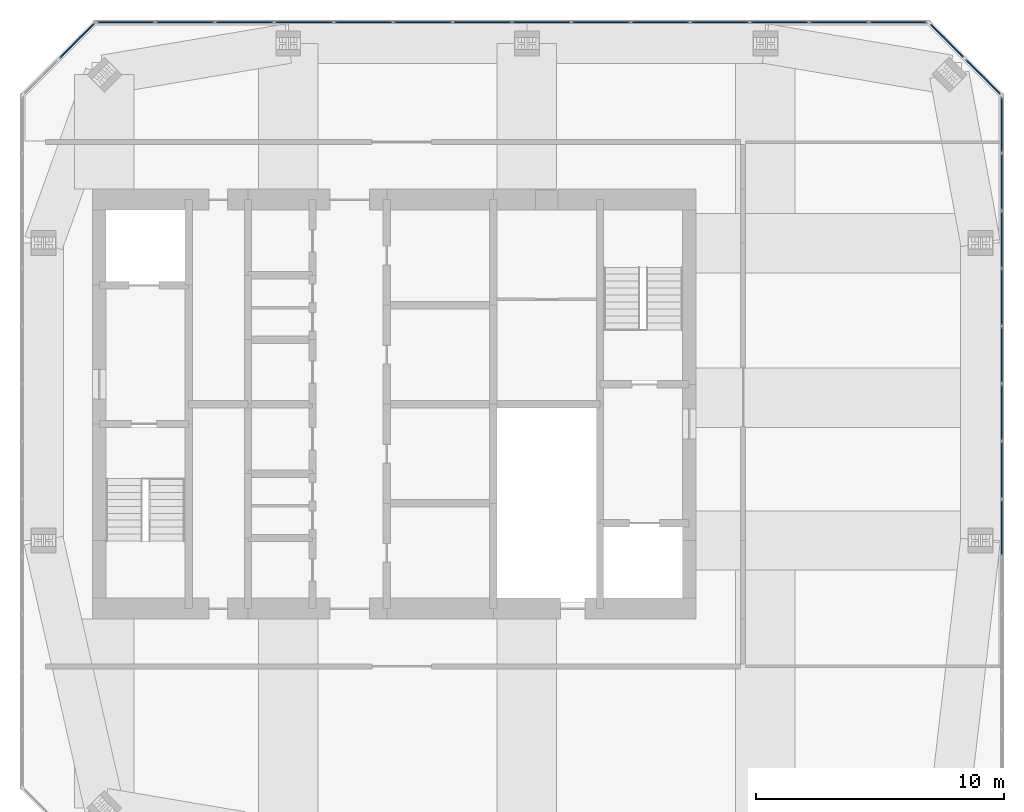
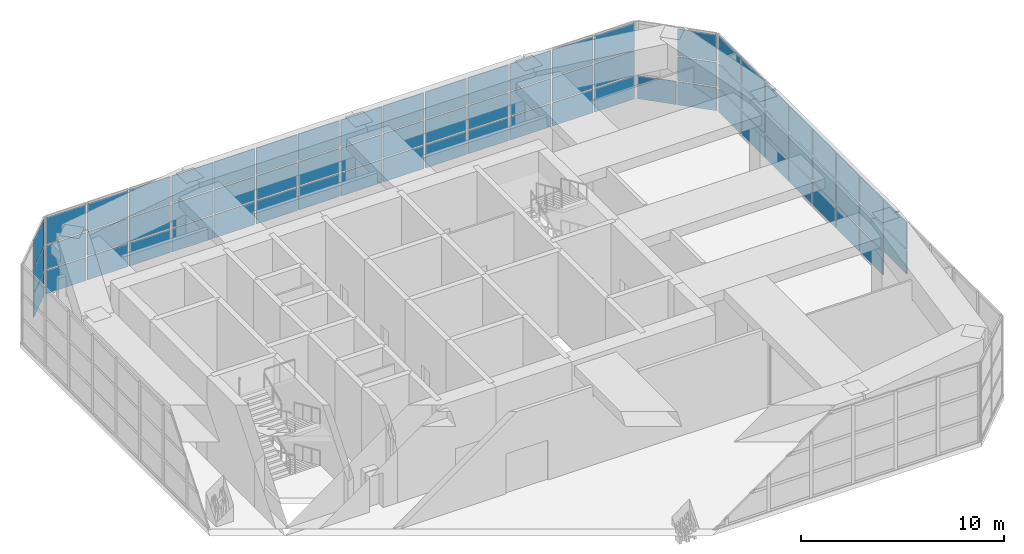
# One storey, part 10 of 14: 72 plates, 4 elements without a shape of their own.
"""IFC4 building model written with IfcOpenShell, lengths in metres."""

from ifc_helpers import new_model, si_unit, direction, frame, origin, origin_2d, place, context, subcontext, project, spatial, rectangle, extrude, material, layer, layer_set, type_object, element, aggregate, save


model = new_model("IFC4")

# Units and contexts
model_context = context("Model", 3, precision=1e-05, world=origin(), true_north=direction((0.0, 1.0)))
body_context = subcontext(model_context, "Body", "Model", "MODEL_VIEW")
ifc_project = project(units=[si_unit("LENGTHUNIT", "METRE"), si_unit("AREAUNIT", "SQUARE_METRE"), si_unit("VOLUMEUNIT", "CUBIC_METRE"), si_unit("PLANEANGLEUNIT", "RADIAN"), si_unit("MASSUNIT", "GRAM", prefix="KILO")], contexts=[model_context])

# Site, building, storey
site_placement = place(None, origin())
site = spatial("IfcSite", under=ifc_project, at=site_placement, CompositionType="ELEMENT")
building_placement = place(site_placement, origin())
building = spatial("IfcBuilding", under=site, at=building_placement, Name="Jalousie Tower", CompositionType="ELEMENT")
storey_placement = place(building_placement, frame((0.0, 0.0, 272.75)))
storey = spatial("IfcBuildingStorey", under=building, at=storey_placement, Name="L74", CompositionType="ELEMENT", Elevation=272.75)

# Curtain wall, plates
ifc_material_1 = material(Name="Aluminium curtain wall", Category="aluminium")
curtain_wall_type = type_object("IfcCurtainWallType", Name="CROWN LOUVRE WALL", PredefinedType="USERDEFINED", material=ifc_material_1)
curtain_wall_1_placement = place(storey_placement, origin())
curtain_wall_1 = element("IfcCurtainWall", 1, at=curtain_wall_1_placement, inside=storey, type_object=curtain_wall_type, Name="Crown Louvre Wall L74 3", ObjectType="CROWN LOUVRE WALL", PredefinedType="USERDEFINED")
ifc_material_2 = material(Name="Aluminium storm louvre panel", Category="aluminium")
ifc_layer = layer(ifc_material_2, 0.050048828125)
ifc_layer_set = layer_set([ifc_layer], Name="Aluminium storm louvre panel")
plate_type = type_object("IfcPlateType", Name="CROWN LOUVRE WALL PANEL", PredefinedType="CURTAIN_PANEL", material=ifc_layer_set)
plate_1_placement = place(storey_placement, frame((56.41259765625, 13.512939453125, 1.5400390625), z_axis=(0.0, 0.0, 1.0), x_axis=(0.0, 1.0, 0.0)))
plate_1 = element("IfcPlate", 2, at=plate_1_placement, type_object=plate_type, Name="CW-L panel 5.2", PredefinedType="CURTAIN_PANEL", context=body_context, shape_type="SweptSolid", body=[
    extrude(rectangle(XDim=2.244873046875, YDim=0.050048828125, at=origin_2d()), origin(), (0.0, 0.0, 1.0), 1.419921875),
])
plate_2_placement = place(storey_placement, frame((56.41259765625, 13.512939453125, 3.0400390625), z_axis=(0.0, 0.0, 1.0), x_axis=(0.0, 1.0, 0.0)))
plate_2 = element("IfcPlate", 3, at=plate_2_placement, type_object=plate_type, Name="CW-L panel 5.3", PredefinedType="CURTAIN_PANEL", context=body_context, shape_type="SweptSolid", body=[
    extrude(rectangle(XDim=2.244873046875, YDim=0.050048828125, at=origin_2d()), origin(), (0.0, 0.0, 1.0), 1.60009765625),
])
plate_3_placement = place(storey_placement, frame((56.41259765625, 15.837646484375, 0.080078125), z_axis=(0.0, 0.0, 1.0), x_axis=(0.0, 1.0, 0.0)))
plate_3 = element("IfcPlate", 4, at=plate_3_placement, type_object=plate_type, Name="CW-L panel 6.1", PredefinedType="CURTAIN_PANEL", context=body_context, shape_type="SweptSolid", body=[
    extrude(rectangle(XDim=2.244873046875, YDim=0.050048828125, at=origin_2d()), origin(), (0.0, 0.0, 1.0), 1.3798828125),
])
plate_4_placement = place(storey_placement, frame((56.41259765625, 15.837646484375, 1.5400390625), z_axis=(0.0, 0.0, 1.0), x_axis=(0.0, 1.0, 0.0)))
plate_4 = element("IfcPlate", 5, at=plate_4_placement, type_object=plate_type, Name="CW-L panel 6.2", PredefinedType="CURTAIN_PANEL", context=body_context, shape_type="SweptSolid", body=[
    extrude(rectangle(XDim=2.244873046875, YDim=0.050048828125, at=origin_2d()), origin(), (0.0, 0.0, 1.0), 1.419921875),
])
plate_5_placement = place(storey_placement, frame((56.41259765625, 15.837646484375, 3.0400390625), z_axis=(0.0, 0.0, 1.0), x_axis=(0.0, 1.0, 0.0)))
plate_5 = element("IfcPlate", 6, at=plate_5_placement, type_object=plate_type, Name="CW-L panel 6.3", PredefinedType="CURTAIN_PANEL", context=body_context, shape_type="SweptSolid", body=[
    extrude(rectangle(XDim=2.244873046875, YDim=0.050048828125, at=origin_2d()), origin(), (0.0, 0.0, 1.0), 1.60009765625),
])
plate_6_placement = place(storey_placement, frame((56.41259765625, 18.162353515625, 0.080078125), z_axis=(0.0, 0.0, 1.0), x_axis=(0.0, 1.0, 0.0)))
plate_6 = element("IfcPlate", 7, at=plate_6_placement, type_object=plate_type, Name="CW-L panel 7.1", PredefinedType="CURTAIN_PANEL", context=body_context, shape_type="SweptSolid", body=[
    extrude(rectangle(XDim=2.244873046875, YDim=0.050048828125, at=origin_2d()), origin(), (0.0, 0.0, 1.0), 1.3798828125),
])
plate_7_placement = place(storey_placement, frame((56.41259765625, 18.162353515625, 1.5400390625), z_axis=(0.0, 0.0, 1.0), x_axis=(0.0, 1.0, 0.0)))
plate_7 = element("IfcPlate", 8, at=plate_7_placement, type_object=plate_type, Name="CW-L panel 7.2", PredefinedType="CURTAIN_PANEL", context=body_context, shape_type="SweptSolid", body=[
    extrude(rectangle(XDim=2.244873046875, YDim=0.050048828125, at=origin_2d()), origin(), (0.0, 0.0, 1.0), 1.419921875),
])
plate_8_placement = place(storey_placement, frame((56.41259765625, 18.162353515625, 3.0400390625), z_axis=(0.0, 0.0, 1.0), x_axis=(0.0, 1.0, 0.0)))
plate_8 = element("IfcPlate", 9, at=plate_8_placement, type_object=plate_type, Name="CW-L panel 7.3", PredefinedType="CURTAIN_PANEL", context=body_context, shape_type="SweptSolid", body=[
    extrude(rectangle(XDim=2.244873046875, YDim=0.050048828125, at=origin_2d()), origin(), (0.0, 0.0, 1.0), 1.60009765625),
])
plate_9_placement = place(storey_placement, frame((56.41259765625, 20.487060546875, 0.080078125), z_axis=(0.0, 0.0, 1.0), x_axis=(0.0, 1.0, 0.0)))
plate_9 = element("IfcPlate", 10, at=plate_9_placement, type_object=plate_type, Name="CW-L panel 8.1", PredefinedType="CURTAIN_PANEL", context=body_context, shape_type="SweptSolid", body=[
    extrude(rectangle(XDim=2.244873046875, YDim=0.050048828125, at=origin_2d()), origin(), (0.0, 0.0, 1.0), 1.3798828125),
])
plate_10_placement = place(storey_placement, frame((56.41259765625, 20.487060546875, 1.5400390625), z_axis=(0.0, 0.0, 1.0), x_axis=(0.0, 1.0, 0.0)))
plate_10 = element("IfcPlate", 11, at=plate_10_placement, type_object=plate_type, Name="CW-L panel 8.2", PredefinedType="CURTAIN_PANEL", context=body_context, shape_type="SweptSolid", body=[
    extrude(rectangle(XDim=2.244873046875, YDim=0.050048828125, at=origin_2d()), origin(), (0.0, 0.0, 1.0), 1.419921875),
])
plate_11_placement = place(storey_placement, frame((56.41259765625, 20.487060546875, 3.0400390625), z_axis=(0.0, 0.0, 1.0), x_axis=(0.0, 1.0, 0.0)))
plate_11 = element("IfcPlate", 12, at=plate_11_placement, type_object=plate_type, Name="CW-L panel 8.3", PredefinedType="CURTAIN_PANEL", context=body_context, shape_type="SweptSolid", body=[
    extrude(rectangle(XDim=2.244873046875, YDim=0.050048828125, at=origin_2d()), origin(), (0.0, 0.0, 1.0), 1.60009765625),
])
plate_12_placement = place(storey_placement, frame((56.41259765625, 22.81201171875, 0.080078125), z_axis=(0.0, 0.0, 1.0), x_axis=(0.0, 1.0, 0.0)))
plate_12 = element("IfcPlate", 13, at=plate_12_placement, type_object=plate_type, Name="CW-L panel 9.1", PredefinedType="CURTAIN_PANEL", context=body_context, shape_type="SweptSolid", body=[
    extrude(rectangle(XDim=2.244873046875, YDim=0.050048828125, at=origin_2d()), origin(), (0.0, 0.0, 1.0), 1.3798828125),
])
plate_13_placement = place(storey_placement, frame((56.41259765625, 22.81201171875, 1.5400390625), z_axis=(0.0, 0.0, 1.0), x_axis=(0.0, 1.0, 0.0)))
plate_13 = element("IfcPlate", 14, at=plate_13_placement, type_object=plate_type, Name="CW-L panel 9.2", PredefinedType="CURTAIN_PANEL", context=body_context, shape_type="SweptSolid", body=[
    extrude(rectangle(XDim=2.244873046875, YDim=0.050048828125, at=origin_2d()), origin(), (0.0, 0.0, 1.0), 1.419921875),
])
plate_14_placement = place(storey_placement, frame((56.41259765625, 22.81201171875, 3.0400390625), z_axis=(0.0, 0.0, 1.0), x_axis=(0.0, 1.0, 0.0)))
plate_14 = element("IfcPlate", 15, at=plate_14_placement, type_object=plate_type, Name="CW-L panel 9.3", PredefinedType="CURTAIN_PANEL", context=body_context, shape_type="SweptSolid", body=[
    extrude(rectangle(XDim=2.244873046875, YDim=0.050048828125, at=origin_2d()), origin(), (0.0, 0.0, 1.0), 1.60009765625),
])
plate_15_placement = place(storey_placement, frame((56.41259765625, 25.13671875, 0.080078125), z_axis=(0.0, 0.0, 1.0), x_axis=(0.0, 1.0, 0.0)))
plate_15 = element("IfcPlate", 16, at=plate_15_placement, type_object=plate_type, Name="CW-L panel 10.1", PredefinedType="CURTAIN_PANEL", context=body_context, shape_type="SweptSolid", body=[
    extrude(rectangle(XDim=2.244873046875, YDim=0.050048828125, at=origin_2d()), origin(), (0.0, 0.0, 1.0), 1.3798828125),
])
plate_16_placement = place(storey_placement, frame((56.41259765625, 25.13671875, 1.5400390625), z_axis=(0.0, 0.0, 1.0), x_axis=(0.0, 1.0, 0.0)))
plate_16 = element("IfcPlate", 17, at=plate_16_placement, type_object=plate_type, Name="CW-L panel 10.2", PredefinedType="CURTAIN_PANEL", context=body_context, shape_type="SweptSolid", body=[
    extrude(rectangle(XDim=2.244873046875, YDim=0.050048828125, at=origin_2d()), origin(), (0.0, 0.0, 1.0), 1.419921875),
])
plate_17_placement = place(storey_placement, frame((56.41259765625, 25.13671875, 3.0400390625), z_axis=(0.0, 0.0, 1.0), x_axis=(0.0, 1.0, 0.0)))
plate_17 = element("IfcPlate", 18, at=plate_17_placement, type_object=plate_type, Name="CW-L panel 10.3", PredefinedType="CURTAIN_PANEL", context=body_context, shape_type="SweptSolid", body=[
    extrude(rectangle(XDim=2.244873046875, YDim=0.050048828125, at=origin_2d()), origin(), (0.0, 0.0, 1.0), 1.60009765625),
])
plate_18_placement = place(storey_placement, frame((56.41259765625, 27.46142578125, 0.080078125), z_axis=(0.0, 0.0, 1.0), x_axis=(0.0, 1.0, 0.0)))
plate_18 = element("IfcPlate", 19, at=plate_18_placement, type_object=plate_type, Name="CW-L panel 11.1", PredefinedType="CURTAIN_PANEL", context=body_context, shape_type="SweptSolid", body=[
    extrude(rectangle(XDim=2.244873046875, YDim=0.050048828125, at=origin_2d()), origin(), (0.0, 0.0, 1.0), 1.3798828125),
])
plate_19_placement = place(storey_placement, frame((56.41259765625, 27.46142578125, 1.5400390625), z_axis=(0.0, 0.0, 1.0), x_axis=(0.0, 1.0, 0.0)))
plate_19 = element("IfcPlate", 20, at=plate_19_placement, type_object=plate_type, Name="CW-L panel 11.2", PredefinedType="CURTAIN_PANEL", context=body_context, shape_type="SweptSolid", body=[
    extrude(rectangle(XDim=2.244873046875, YDim=0.050048828125, at=origin_2d()), origin(), (0.0, 0.0, 1.0), 1.419921875),
])
plate_20_placement = place(storey_placement, frame((56.41259765625, 27.46142578125, 3.0400390625), z_axis=(0.0, 0.0, 1.0), x_axis=(0.0, 1.0, 0.0)))
plate_20 = element("IfcPlate", 21, at=plate_20_placement, type_object=plate_type, Name="CW-L panel 11.3", PredefinedType="CURTAIN_PANEL", context=body_context, shape_type="SweptSolid", body=[
    extrude(rectangle(XDim=2.244873046875, YDim=0.050048828125, at=origin_2d()), origin(), (0.0, 0.0, 1.0), 1.60009765625),
])
plate_21_placement = place(storey_placement, frame((56.41259765625, 29.766357421875, 0.080078125), z_axis=(0.0, 0.0, 1.0), x_axis=(0.0, 1.0, 0.0)))
plate_21 = element("IfcPlate", 22, at=plate_21_placement, type_object=plate_type, Name="CW-L panel 12.1", PredefinedType="CURTAIN_PANEL", context=body_context, shape_type="SweptSolid", body=[
    extrude(rectangle(XDim=2.204833984375, YDim=0.050048828125, at=origin_2d()), origin(), (0.0, 0.0, 1.0), 1.3798828125),
])
plate_22_placement = place(storey_placement, frame((56.41259765625, 29.766357421875, 1.5400390625), z_axis=(0.0, 0.0, 1.0), x_axis=(0.0, 1.0, 0.0)))
plate_22 = element("IfcPlate", 23, at=plate_22_placement, type_object=plate_type, Name="CW-L panel 12.2", PredefinedType="CURTAIN_PANEL", context=body_context, shape_type="SweptSolid", body=[
    extrude(rectangle(XDim=2.204833984375, YDim=0.050048828125, at=origin_2d()), origin(), (0.0, 0.0, 1.0), 1.419921875),
])
plate_23_placement = place(storey_placement, frame((56.41259765625, 29.766357421875, 3.0400390625), z_axis=(0.0, 0.0, 1.0), x_axis=(0.0, 1.0, 0.0)))
plate_23 = element("IfcPlate", 24, at=plate_23_placement, type_object=plate_type, Name="CW-L panel 12.3", PredefinedType="CURTAIN_PANEL", context=body_context, shape_type="SweptSolid", body=[
    extrude(rectangle(XDim=2.204833984375, YDim=0.050048828125, at=origin_2d()), origin(), (0.0, 0.0, 1.0), 1.60009765625),
])
aggregate(curtain_wall_1, [plate_1, plate_2, plate_3, plate_4, plate_5, plate_6, plate_7, plate_8, plate_9, plate_10, plate_11, plate_12, plate_13, plate_14, plate_15, plate_16, plate_17, plate_18, plate_19, plate_20, plate_21, plate_22, plate_23])

curtain_wall_2_placement = place(storey_placement, origin())
curtain_wall_2 = element("IfcCurtainWall", 25, at=curtain_wall_2_placement, inside=storey, type_object=curtain_wall_type, Name="Crown Louvre Wall L74 4", ObjectType="CROWN LOUVRE WALL", PredefinedType="USERDEFINED")
plate_24_placement = place(storey_placement, frame((55.657470703125, 31.703857421875, 0.080078125), z_axis=(0.0, 0.0, 1.0), x_axis=(-0.707106781187, 0.707106781187, 0.0)))
plate_24 = element("IfcPlate", 26, at=plate_24_placement, type_object=plate_type, Name="CW-L panel 1.1", PredefinedType="CURTAIN_PANEL", context=body_context, shape_type="SweptSolid", body=[
    extrude(rectangle(XDim=1.975830078125, YDim=0.050048828125, at=origin_2d()), origin(), (0.0, 0.0, 1.0), 1.3798828125),
])
plate_25_placement = place(storey_placement, frame((55.657470703125, 31.703857421875, 1.5400390625), z_axis=(0.0, 0.0, 1.0), x_axis=(-0.707106781187, 0.707106781187, 0.0)))
plate_25 = element("IfcPlate", 27, at=plate_25_placement, type_object=plate_type, Name="CW-L panel 1.2", PredefinedType="CURTAIN_PANEL", context=body_context, shape_type="SweptSolid", body=[
    extrude(rectangle(XDim=1.975830078125, YDim=0.050048828125, at=origin_2d()), origin(), (0.0, 0.0, 1.0), 1.419921875),
])
plate_26_placement = place(storey_placement, frame((55.657470703125, 31.703857421875, 3.0400390625), z_axis=(0.0, 0.0, 1.0), x_axis=(-0.707106781187, 0.707106781187, 0.0)))
plate_26 = element("IfcPlate", 28, at=plate_26_placement, type_object=plate_type, Name="CW-L panel 1.3", PredefinedType="CURTAIN_PANEL", context=body_context, shape_type="SweptSolid", body=[
    extrude(rectangle(XDim=1.975830078125, YDim=0.050048828125, at=origin_2d()), origin(), (0.0, 0.0, 1.0), 1.60009765625),
])
plate_27_placement = place(storey_placement, frame((54.203857421875, 33.157470703125, 0.080078125), z_axis=(0.0, 0.0, 1.0), x_axis=(-0.707106781187, 0.707106781187, 0.0)))
plate_27 = element("IfcPlate", 29, at=plate_27_placement, type_object=plate_type, Name="CW-L panel 2.1", PredefinedType="CURTAIN_PANEL", context=body_context, shape_type="SweptSolid", body=[
    extrude(rectangle(XDim=1.975830078125, YDim=0.050048828125, at=origin_2d()), origin(), (0.0, 0.0, 1.0), 1.3798828125),
])
aggregate(curtain_wall_2, [plate_24, plate_25, plate_26, plate_27])

curtain_wall_3_placement = place(storey_placement, origin())
curtain_wall_3 = element("IfcCurtainWall", 30, at=curtain_wall_3_placement, inside=storey, type_object=curtain_wall_type, Name="Crown Louvre Wall L74 5", ObjectType="CROWN LOUVRE WALL", PredefinedType="USERDEFINED")
plate_28_placement = place(storey_placement, frame((52.228759765625, 33.91259765625, 0.080078125), z_axis=(0.0, 0.0, 1.0), x_axis=(-1.0, 0.0, 0.0)))
plate_28 = element("IfcPlate", 31, at=plate_28_placement, type_object=plate_type, Name="CW-L panel 1.1", PredefinedType="CURTAIN_PANEL", context=body_context, shape_type="SweptSolid", body=[
    extrude(rectangle(XDim=2.27978515625, YDim=0.050048828125, at=origin_2d()), origin(), (0.0, 0.0, 1.0), 1.3798828125),
])
plate_29_placement = place(storey_placement, frame((52.228759765625, 33.91259765625, 1.5400390625), z_axis=(0.0, 0.0, 1.0), x_axis=(-1.0, 0.0, 0.0)))
plate_29 = element("IfcPlate", 32, at=plate_29_placement, type_object=plate_type, Name="CW-L panel 1.2", PredefinedType="CURTAIN_PANEL", context=body_context, shape_type="SweptSolid", body=[
    extrude(rectangle(XDim=2.27978515625, YDim=0.050048828125, at=origin_2d()), origin(), (0.0, 0.0, 1.0), 1.419921875),
])
plate_30_placement = place(storey_placement, frame((52.228759765625, 33.91259765625, 3.0400390625), z_axis=(0.0, 0.0, 1.0), x_axis=(-1.0, 0.0, 0.0)))
plate_30 = element("IfcPlate", 33, at=plate_30_placement, type_object=plate_type, Name="CW-L panel 1.3", PredefinedType="CURTAIN_PANEL", context=body_context, shape_type="SweptSolid", body=[
    extrude(rectangle(XDim=2.27978515625, YDim=0.050048828125, at=origin_2d()), origin(), (0.0, 0.0, 1.0), 1.60009765625),
])
plate_31_placement = place(storey_placement, frame((49.848876953125, 33.91259765625, 0.080078125), z_axis=(0.0, 0.0, 1.0), x_axis=(-1.0, 0.0, 0.0)))
plate_31 = element("IfcPlate", 34, at=plate_31_placement, type_object=plate_type, Name="CW-L panel 2.1", PredefinedType="CURTAIN_PANEL", context=body_context, shape_type="SweptSolid", body=[
    extrude(rectangle(XDim=2.31982421875, YDim=0.050048828125, at=origin_2d()), origin(), (0.0, 0.0, 1.0), 1.3798828125),
])
plate_32_placement = place(storey_placement, frame((49.848876953125, 33.91259765625, 1.5400390625), z_axis=(0.0, 0.0, 1.0), x_axis=(-1.0, 0.0, 0.0)))
plate_32 = element("IfcPlate", 35, at=plate_32_placement, type_object=plate_type, Name="CW-L panel 2.2", PredefinedType="CURTAIN_PANEL", context=body_context, shape_type="SweptSolid", body=[
    extrude(rectangle(XDim=2.31982421875, YDim=0.050048828125, at=origin_2d()), origin(), (0.0, 0.0, 1.0), 1.419921875),
])
plate_33_placement = place(storey_placement, frame((49.848876953125, 33.91259765625, 3.0400390625), z_axis=(0.0, 0.0, 1.0), x_axis=(-1.0, 0.0, 0.0)))
plate_33 = element("IfcPlate", 36, at=plate_33_placement, type_object=plate_type, Name="CW-L panel 2.3", PredefinedType="CURTAIN_PANEL", context=body_context, shape_type="SweptSolid", body=[
    extrude(rectangle(XDim=2.31982421875, YDim=0.050048828125, at=origin_2d()), origin(), (0.0, 0.0, 1.0), 1.60009765625),
])
plate_34_placement = place(storey_placement, frame((47.44921875, 33.91259765625, 0.080078125), z_axis=(0.0, 0.0, 1.0), x_axis=(-1.0, 0.0, 0.0)))
plate_34 = element("IfcPlate", 37, at=plate_34_placement, type_object=plate_type, Name="CW-L panel 3.1", PredefinedType="CURTAIN_PANEL", context=body_context, shape_type="SweptSolid", body=[
    extrude(rectangle(XDim=2.31982421875, YDim=0.050048828125, at=origin_2d()), origin(), (0.0, 0.0, 1.0), 1.3798828125),
])
plate_35_placement = place(storey_placement, frame((47.44921875, 33.91259765625, 1.5400390625), z_axis=(0.0, 0.0, 1.0), x_axis=(-1.0, 0.0, 0.0)))
plate_35 = element("IfcPlate", 38, at=plate_35_placement, type_object=plate_type, Name="CW-L panel 3.2", PredefinedType="CURTAIN_PANEL", context=body_context, shape_type="SweptSolid", body=[
    extrude(rectangle(XDim=2.31982421875, YDim=0.050048828125, at=origin_2d()), origin(), (0.0, 0.0, 1.0), 1.419921875),
])
plate_36_placement = place(storey_placement, frame((47.44921875, 33.91259765625, 3.0400390625), z_axis=(0.0, 0.0, 1.0), x_axis=(-1.0, 0.0, 0.0)))
plate_36 = element("IfcPlate", 39, at=plate_36_placement, type_object=plate_type, Name="CW-L panel 3.3", PredefinedType="CURTAIN_PANEL", context=body_context, shape_type="SweptSolid", body=[
    extrude(rectangle(XDim=2.31982421875, YDim=0.050048828125, at=origin_2d()), origin(), (0.0, 0.0, 1.0), 1.60009765625),
])
plate_37_placement = place(storey_placement, frame((45.04931640625, 33.91259765625, 0.080078125), z_axis=(0.0, 0.0, 1.0), x_axis=(-1.0, 0.0, 0.0)))
plate_37 = element("IfcPlate", 40, at=plate_37_placement, type_object=plate_type, Name="CW-L panel 4.1", PredefinedType="CURTAIN_PANEL", context=body_context, shape_type="SweptSolid", body=[
    extrude(rectangle(XDim=2.31982421875, YDim=0.050048828125, at=origin_2d()), origin(), (0.0, 0.0, 1.0), 1.3798828125),
])
plate_38_placement = place(storey_placement, frame((45.04931640625, 33.91259765625, 1.5400390625), z_axis=(0.0, 0.0, 1.0), x_axis=(-1.0, 0.0, 0.0)))
plate_38 = element("IfcPlate", 41, at=plate_38_placement, type_object=plate_type, Name="CW-L panel 4.2", PredefinedType="CURTAIN_PANEL", context=body_context, shape_type="SweptSolid", body=[
    extrude(rectangle(XDim=2.31982421875, YDim=0.050048828125, at=origin_2d()), origin(), (0.0, 0.0, 1.0), 1.419921875),
])
plate_39_placement = place(storey_placement, frame((45.04931640625, 33.91259765625, 3.0400390625), z_axis=(0.0, 0.0, 1.0), x_axis=(-1.0, 0.0, 0.0)))
plate_39 = element("IfcPlate", 42, at=plate_39_placement, type_object=plate_type, Name="CW-L panel 4.3", PredefinedType="CURTAIN_PANEL", context=body_context, shape_type="SweptSolid", body=[
    extrude(rectangle(XDim=2.31982421875, YDim=0.050048828125, at=origin_2d()), origin(), (0.0, 0.0, 1.0), 1.60009765625),
])
plate_40_placement = place(storey_placement, frame((42.6494140625, 33.91259765625, 0.080078125), z_axis=(0.0, 0.0, 1.0), x_axis=(-1.0, 0.0, 0.0)))
plate_40 = element("IfcPlate", 43, at=plate_40_placement, type_object=plate_type, Name="CW-L panel 5.1", PredefinedType="CURTAIN_PANEL", context=body_context, shape_type="SweptSolid", body=[
    extrude(rectangle(XDim=2.31982421875, YDim=0.050048828125, at=origin_2d()), origin(), (0.0, 0.0, 1.0), 1.3798828125),
])
plate_41_placement = place(storey_placement, frame((42.6494140625, 33.91259765625, 1.5400390625), z_axis=(0.0, 0.0, 1.0), x_axis=(-1.0, 0.0, 0.0)))
plate_41 = element("IfcPlate", 44, at=plate_41_placement, type_object=plate_type, Name="CW-L panel 5.2", PredefinedType="CURTAIN_PANEL", context=body_context, shape_type="SweptSolid", body=[
    extrude(rectangle(XDim=2.31982421875, YDim=0.050048828125, at=origin_2d()), origin(), (0.0, 0.0, 1.0), 1.419921875),
])
plate_42_placement = place(storey_placement, frame((42.6494140625, 33.91259765625, 3.0400390625), z_axis=(0.0, 0.0, 1.0), x_axis=(-1.0, 0.0, 0.0)))
plate_42 = element("IfcPlate", 45, at=plate_42_placement, type_object=plate_type, Name="CW-L panel 5.3", PredefinedType="CURTAIN_PANEL", context=body_context, shape_type="SweptSolid", body=[
    extrude(rectangle(XDim=2.31982421875, YDim=0.050048828125, at=origin_2d()), origin(), (0.0, 0.0, 1.0), 1.60009765625),
])
plate_43_placement = place(storey_placement, frame((40.249755859375, 33.91259765625, 0.080078125), z_axis=(0.0, 0.0, 1.0), x_axis=(-1.0, 0.0, 0.0)))
plate_43 = element("IfcPlate", 46, at=plate_43_placement, type_object=plate_type, Name="CW-L panel 6.1", PredefinedType="CURTAIN_PANEL", context=body_context, shape_type="SweptSolid", body=[
    extrude(rectangle(XDim=2.31982421875, YDim=0.050048828125, at=origin_2d()), origin(), (0.0, 0.0, 1.0), 1.3798828125),
])
plate_44_placement = place(storey_placement, frame((40.249755859375, 33.91259765625, 1.5400390625), z_axis=(0.0, 0.0, 1.0), x_axis=(-1.0, 0.0, 0.0)))
plate_44 = element("IfcPlate", 47, at=plate_44_placement, type_object=plate_type, Name="CW-L panel 6.2", PredefinedType="CURTAIN_PANEL", context=body_context, shape_type="SweptSolid", body=[
    extrude(rectangle(XDim=2.31982421875, YDim=0.050048828125, at=origin_2d()), origin(), (0.0, 0.0, 1.0), 1.419921875),
])
plate_45_placement = place(storey_placement, frame((40.249755859375, 33.91259765625, 3.0400390625), z_axis=(0.0, 0.0, 1.0), x_axis=(-1.0, 0.0, 0.0)))
plate_45 = element("IfcPlate", 48, at=plate_45_placement, type_object=plate_type, Name="CW-L panel 6.3", PredefinedType="CURTAIN_PANEL", context=body_context, shape_type="SweptSolid", body=[
    extrude(rectangle(XDim=2.31982421875, YDim=0.050048828125, at=origin_2d()), origin(), (0.0, 0.0, 1.0), 1.60009765625),
])
plate_46_placement = place(storey_placement, frame((37.849853515625, 33.91259765625, 0.080078125), z_axis=(0.0, 0.0, 1.0), x_axis=(-1.0, 0.0, 0.0)))
plate_46 = element("IfcPlate", 49, at=plate_46_placement, type_object=plate_type, Name="CW-L panel 7.1", PredefinedType="CURTAIN_PANEL", context=body_context, shape_type="SweptSolid", body=[
    extrude(rectangle(XDim=2.31982421875, YDim=0.050048828125, at=origin_2d()), origin(), (0.0, 0.0, 1.0), 1.3798828125),
])
plate_47_placement = place(storey_placement, frame((37.849853515625, 33.91259765625, 1.5400390625), z_axis=(0.0, 0.0, 1.0), x_axis=(-1.0, 0.0, 0.0)))
plate_47 = element("IfcPlate", 50, at=plate_47_placement, type_object=plate_type, Name="CW-L panel 7.2", PredefinedType="CURTAIN_PANEL", context=body_context, shape_type="SweptSolid", body=[
    extrude(rectangle(XDim=2.31982421875, YDim=0.050048828125, at=origin_2d()), origin(), (0.0, 0.0, 1.0), 1.419921875),
])
plate_48_placement = place(storey_placement, frame((37.849853515625, 33.91259765625, 3.0400390625), z_axis=(0.0, 0.0, 1.0), x_axis=(-1.0, 0.0, 0.0)))
plate_48 = element("IfcPlate", 51, at=plate_48_placement, type_object=plate_type, Name="CW-L panel 7.3", PredefinedType="CURTAIN_PANEL", context=body_context, shape_type="SweptSolid", body=[
    extrude(rectangle(XDim=2.31982421875, YDim=0.050048828125, at=origin_2d()), origin(), (0.0, 0.0, 1.0), 1.60009765625),
])
plate_49_placement = place(storey_placement, frame((35.4501953125, 33.91259765625, 0.080078125), z_axis=(0.0, 0.0, 1.0), x_axis=(-1.0, 0.0, 0.0)))
plate_49 = element("IfcPlate", 52, at=plate_49_placement, type_object=plate_type, Name="CW-L panel 8.1", PredefinedType="CURTAIN_PANEL", context=body_context, shape_type="SweptSolid", body=[
    extrude(rectangle(XDim=2.31982421875, YDim=0.050048828125, at=origin_2d()), origin(), (0.0, 0.0, 1.0), 1.3798828125),
])
plate_50_placement = place(storey_placement, frame((35.4501953125, 33.91259765625, 1.5400390625), z_axis=(0.0, 0.0, 1.0), x_axis=(-1.0, 0.0, 0.0)))
plate_50 = element("IfcPlate", 53, at=plate_50_placement, type_object=plate_type, Name="CW-L panel 8.2", PredefinedType="CURTAIN_PANEL", context=body_context, shape_type="SweptSolid", body=[
    extrude(rectangle(XDim=2.31982421875, YDim=0.050048828125, at=origin_2d()), origin(), (0.0, 0.0, 1.0), 1.419921875),
])
plate_51_placement = place(storey_placement, frame((35.4501953125, 33.91259765625, 3.0400390625), z_axis=(0.0, 0.0, 1.0), x_axis=(-1.0, 0.0, 0.0)))
plate_51 = element("IfcPlate", 54, at=plate_51_placement, type_object=plate_type, Name="CW-L panel 8.3", PredefinedType="CURTAIN_PANEL", context=body_context, shape_type="SweptSolid", body=[
    extrude(rectangle(XDim=2.31982421875, YDim=0.050048828125, at=origin_2d()), origin(), (0.0, 0.0, 1.0), 1.60009765625),
])
plate_52_placement = place(storey_placement, frame((33.05029296875, 33.91259765625, 0.080078125), z_axis=(0.0, 0.0, 1.0), x_axis=(-1.0, 0.0, 0.0)))
plate_52 = element("IfcPlate", 55, at=plate_52_placement, type_object=plate_type, Name="CW-L panel 9.1", PredefinedType="CURTAIN_PANEL", context=body_context, shape_type="SweptSolid", body=[
    extrude(rectangle(XDim=2.31982421875, YDim=0.050048828125, at=origin_2d()), origin(), (0.0, 0.0, 1.0), 1.3798828125),
])
plate_53_placement = place(storey_placement, frame((33.05029296875, 33.91259765625, 1.5400390625), z_axis=(0.0, 0.0, 1.0), x_axis=(-1.0, 0.0, 0.0)))
plate_53 = element("IfcPlate", 56, at=plate_53_placement, type_object=plate_type, Name="CW-L panel 9.2", PredefinedType="CURTAIN_PANEL", context=body_context, shape_type="SweptSolid", body=[
    extrude(rectangle(XDim=2.31982421875, YDim=0.050048828125, at=origin_2d()), origin(), (0.0, 0.0, 1.0), 1.419921875),
])
plate_54_placement = place(storey_placement, frame((33.05029296875, 33.91259765625, 3.0400390625), z_axis=(0.0, 0.0, 1.0), x_axis=(-1.0, 0.0, 0.0)))
plate_54 = element("IfcPlate", 57, at=plate_54_placement, type_object=plate_type, Name="CW-L panel 9.3", PredefinedType="CURTAIN_PANEL", context=body_context, shape_type="SweptSolid", body=[
    extrude(rectangle(XDim=2.31982421875, YDim=0.050048828125, at=origin_2d()), origin(), (0.0, 0.0, 1.0), 1.60009765625),
])
plate_55_placement = place(storey_placement, frame((30.650390625, 33.91259765625, 0.080078125), z_axis=(0.0, 0.0, 1.0), x_axis=(-1.0, 0.0, 0.0)))
plate_55 = element("IfcPlate", 58, at=plate_55_placement, type_object=plate_type, Name="CW-L panel 10.1", PredefinedType="CURTAIN_PANEL", context=body_context, shape_type="SweptSolid", body=[
    extrude(rectangle(XDim=2.31982421875, YDim=0.050048828125, at=origin_2d()), origin(), (0.0, 0.0, 1.0), 1.3798828125),
])
plate_56_placement = place(storey_placement, frame((30.650390625, 33.91259765625, 1.5400390625), z_axis=(0.0, 0.0, 1.0), x_axis=(-1.0, 0.0, 0.0)))
plate_56 = element("IfcPlate", 59, at=plate_56_placement, type_object=plate_type, Name="CW-L panel 10.2", PredefinedType="CURTAIN_PANEL", context=body_context, shape_type="SweptSolid", body=[
    extrude(rectangle(XDim=2.31982421875, YDim=0.050048828125, at=origin_2d()), origin(), (0.0, 0.0, 1.0), 1.419921875),
])
plate_57_placement = place(storey_placement, frame((30.650390625, 33.91259765625, 3.0400390625), z_axis=(0.0, 0.0, 1.0), x_axis=(-1.0, 0.0, 0.0)))
plate_57 = element("IfcPlate", 60, at=plate_57_placement, type_object=plate_type, Name="CW-L panel 10.3", PredefinedType="CURTAIN_PANEL", context=body_context, shape_type="SweptSolid", body=[
    extrude(rectangle(XDim=2.31982421875, YDim=0.050048828125, at=origin_2d()), origin(), (0.0, 0.0, 1.0), 1.60009765625),
])
plate_58_placement = place(storey_placement, frame((28.250732421875, 33.91259765625, 0.080078125), z_axis=(0.0, 0.0, 1.0), x_axis=(-1.0, 0.0, 0.0)))
plate_58 = element("IfcPlate", 61, at=plate_58_placement, type_object=plate_type, Name="CW-L panel 11.1", PredefinedType="CURTAIN_PANEL", context=body_context, shape_type="SweptSolid", body=[
    extrude(rectangle(XDim=2.31982421875, YDim=0.050048828125, at=origin_2d()), origin(), (0.0, 0.0, 1.0), 1.3798828125),
])
plate_59_placement = place(storey_placement, frame((28.250732421875, 33.91259765625, 1.5400390625), z_axis=(0.0, 0.0, 1.0), x_axis=(-1.0, 0.0, 0.0)))
plate_59 = element("IfcPlate", 62, at=plate_59_placement, type_object=plate_type, Name="CW-L panel 11.2", PredefinedType="CURTAIN_PANEL", context=body_context, shape_type="SweptSolid", body=[
    extrude(rectangle(XDim=2.31982421875, YDim=0.050048828125, at=origin_2d()), origin(), (0.0, 0.0, 1.0), 1.419921875),
])
plate_60_placement = place(storey_placement, frame((28.250732421875, 33.91259765625, 3.0400390625), z_axis=(0.0, 0.0, 1.0), x_axis=(-1.0, 0.0, 0.0)))
plate_60 = element("IfcPlate", 63, at=plate_60_placement, type_object=plate_type, Name="CW-L panel 11.3", PredefinedType="CURTAIN_PANEL", context=body_context, shape_type="SweptSolid", body=[
    extrude(rectangle(XDim=2.31982421875, YDim=0.050048828125, at=origin_2d()), origin(), (0.0, 0.0, 1.0), 1.60009765625),
])
plate_61_placement = place(storey_placement, frame((25.850830078125, 33.91259765625, 0.080078125), z_axis=(0.0, 0.0, 1.0), x_axis=(-1.0, 0.0, 0.0)))
plate_61 = element("IfcPlate", 64, at=plate_61_placement, type_object=plate_type, Name="CW-L panel 12.1", PredefinedType="CURTAIN_PANEL", context=body_context, shape_type="SweptSolid", body=[
    extrude(rectangle(XDim=2.31982421875, YDim=0.050048828125, at=origin_2d()), origin(), (0.0, 0.0, 1.0), 1.3798828125),
])
plate_62_placement = place(storey_placement, frame((25.850830078125, 33.91259765625, 1.5400390625), z_axis=(0.0, 0.0, 1.0), x_axis=(-1.0, 0.0, 0.0)))
plate_62 = element("IfcPlate", 65, at=plate_62_placement, type_object=plate_type, Name="CW-L panel 12.2", PredefinedType="CURTAIN_PANEL", context=body_context, shape_type="SweptSolid", body=[
    extrude(rectangle(XDim=2.31982421875, YDim=0.050048828125, at=origin_2d()), origin(), (0.0, 0.0, 1.0), 1.419921875),
])
plate_63_placement = place(storey_placement, frame((25.850830078125, 33.91259765625, 3.0400390625), z_axis=(0.0, 0.0, 1.0), x_axis=(-1.0, 0.0, 0.0)))
plate_63 = element("IfcPlate", 66, at=plate_63_placement, type_object=plate_type, Name="CW-L panel 12.3", PredefinedType="CURTAIN_PANEL", context=body_context, shape_type="SweptSolid", body=[
    extrude(rectangle(XDim=2.31982421875, YDim=0.050048828125, at=origin_2d()), origin(), (0.0, 0.0, 1.0), 1.60009765625),
])
plate_64_placement = place(storey_placement, frame((23.450927734375, 33.91259765625, 0.080078125), z_axis=(0.0, 0.0, 1.0), x_axis=(-1.0, 0.0, 0.0)))
plate_64 = element("IfcPlate", 67, at=plate_64_placement, type_object=plate_type, Name="CW-L panel 13.1", PredefinedType="CURTAIN_PANEL", context=body_context, shape_type="SweptSolid", body=[
    extrude(rectangle(XDim=2.31982421875, YDim=0.050048828125, at=origin_2d()), origin(), (0.0, 0.0, 1.0), 1.3798828125),
])
plate_65_placement = place(storey_placement, frame((23.450927734375, 33.91259765625, 1.5400390625), z_axis=(0.0, 0.0, 1.0), x_axis=(-1.0, 0.0, 0.0)))
plate_65 = element("IfcPlate", 68, at=plate_65_placement, type_object=plate_type, Name="CW-L panel 13.2", PredefinedType="CURTAIN_PANEL", context=body_context, shape_type="SweptSolid", body=[
    extrude(rectangle(XDim=2.31982421875, YDim=0.050048828125, at=origin_2d()), origin(), (0.0, 0.0, 1.0), 1.419921875),
])
plate_66_placement = place(storey_placement, frame((23.450927734375, 33.91259765625, 3.0400390625), z_axis=(0.0, 0.0, 1.0), x_axis=(-1.0, 0.0, 0.0)))
plate_66 = element("IfcPlate", 69, at=plate_66_placement, type_object=plate_type, Name="CW-L panel 13.3", PredefinedType="CURTAIN_PANEL", context=body_context, shape_type="SweptSolid", body=[
    extrude(rectangle(XDim=2.31982421875, YDim=0.050048828125, at=origin_2d()), origin(), (0.0, 0.0, 1.0), 1.60009765625),
])
plate_67_placement = place(storey_placement, frame((21.0712890625, 33.91259765625, 0.080078125), z_axis=(0.0, 0.0, 1.0), x_axis=(-1.0, 0.0, 0.0)))
plate_67 = element("IfcPlate", 70, at=plate_67_placement, type_object=plate_type, Name="CW-L panel 14.1", PredefinedType="CURTAIN_PANEL", context=body_context, shape_type="SweptSolid", body=[
    extrude(rectangle(XDim=2.27978515625, YDim=0.050048828125, at=origin_2d()), origin(), (0.0, 0.0, 1.0), 1.3798828125),
])
plate_68_placement = place(storey_placement, frame((21.0712890625, 33.91259765625, 1.5400390625), z_axis=(0.0, 0.0, 1.0), x_axis=(-1.0, 0.0, 0.0)))
plate_68 = element("IfcPlate", 71, at=plate_68_placement, type_object=plate_type, Name="CW-L panel 14.2", PredefinedType="CURTAIN_PANEL", context=body_context, shape_type="SweptSolid", body=[
    extrude(rectangle(XDim=2.27978515625, YDim=0.050048828125, at=origin_2d()), origin(), (0.0, 0.0, 1.0), 1.419921875),
])
plate_69_placement = place(storey_placement, frame((21.0712890625, 33.91259765625, 3.0400390625), z_axis=(0.0, 0.0, 1.0), x_axis=(-1.0, 0.0, 0.0)))
plate_69 = element("IfcPlate", 72, at=plate_69_placement, type_object=plate_type, Name="CW-L panel 14.3", PredefinedType="CURTAIN_PANEL", context=body_context, shape_type="SweptSolid", body=[
    extrude(rectangle(XDim=2.27978515625, YDim=0.050048828125, at=origin_2d()), origin(), (0.0, 0.0, 1.0), 1.60009765625),
])
aggregate(curtain_wall_3, [plate_28, plate_29, plate_30, plate_31, plate_32, plate_33, plate_34, plate_35, plate_36, plate_37, plate_38, plate_39, plate_40, plate_41, plate_42, plate_43, plate_44, plate_45, plate_46, plate_47, plate_48, plate_49, plate_50, plate_51, plate_52, plate_53, plate_54, plate_55, plate_56, plate_57, plate_58, plate_59, plate_60, plate_61, plate_62, plate_63, plate_64, plate_65, plate_66, plate_67, plate_68, plate_69])

curtain_wall_4_placement = place(storey_placement, origin())
curtain_wall_4 = element("IfcCurtainWall", 73, at=curtain_wall_4_placement, inside=storey, type_object=curtain_wall_type, Name="Crown Louvre Wall L74 6", ObjectType="CROWN LOUVRE WALL", PredefinedType="USERDEFINED")
plate_70_placement = place(storey_placement, frame((19.09619140625, 33.157470703125, 0.080078125), z_axis=(0.0, 0.0, 1.0), x_axis=(-0.707106781187, -0.707106781187, 0.0)))
plate_70 = element("IfcPlate", 74, at=plate_70_placement, type_object=plate_type, Name="CW-L panel 1.1", PredefinedType="CURTAIN_PANEL", context=body_context, shape_type="SweptSolid", body=[
    extrude(rectangle(XDim=1.975830078125, YDim=0.050048828125, at=origin_2d()), origin(), (0.0, 0.0, 1.0), 1.3798828125),
])
plate_71_placement = place(storey_placement, frame((19.09619140625, 33.157470703125, 1.5400390625), z_axis=(0.0, 0.0, 1.0), x_axis=(-0.707106781187, -0.707106781187, 0.0)))
plate_71 = element("IfcPlate", 75, at=plate_71_placement, type_object=plate_type, Name="CW-L panel 1.2", PredefinedType="CURTAIN_PANEL", context=body_context, shape_type="SweptSolid", body=[
    extrude(rectangle(XDim=1.975830078125, YDim=0.050048828125, at=origin_2d()), origin(), (0.0, 0.0, 1.0), 1.419921875),
])
plate_72_placement = place(storey_placement, frame((19.09619140625, 33.157470703125, 3.0400390625), z_axis=(0.0, 0.0, 1.0), x_axis=(-0.707106781187, -0.707106781187, 0.0)))
plate_72 = element("IfcPlate", 76, at=plate_72_placement, type_object=plate_type, Name="CW-L panel 1.3", PredefinedType="CURTAIN_PANEL", context=body_context, shape_type="SweptSolid", body=[
    extrude(rectangle(XDim=1.975830078125, YDim=0.050048828125, at=origin_2d()), origin(), (0.0, 0.0, 1.0), 1.60009765625),
])
aggregate(curtain_wall_4, [plate_70, plate_71, plate_72])

save(model, "model.ifc")
